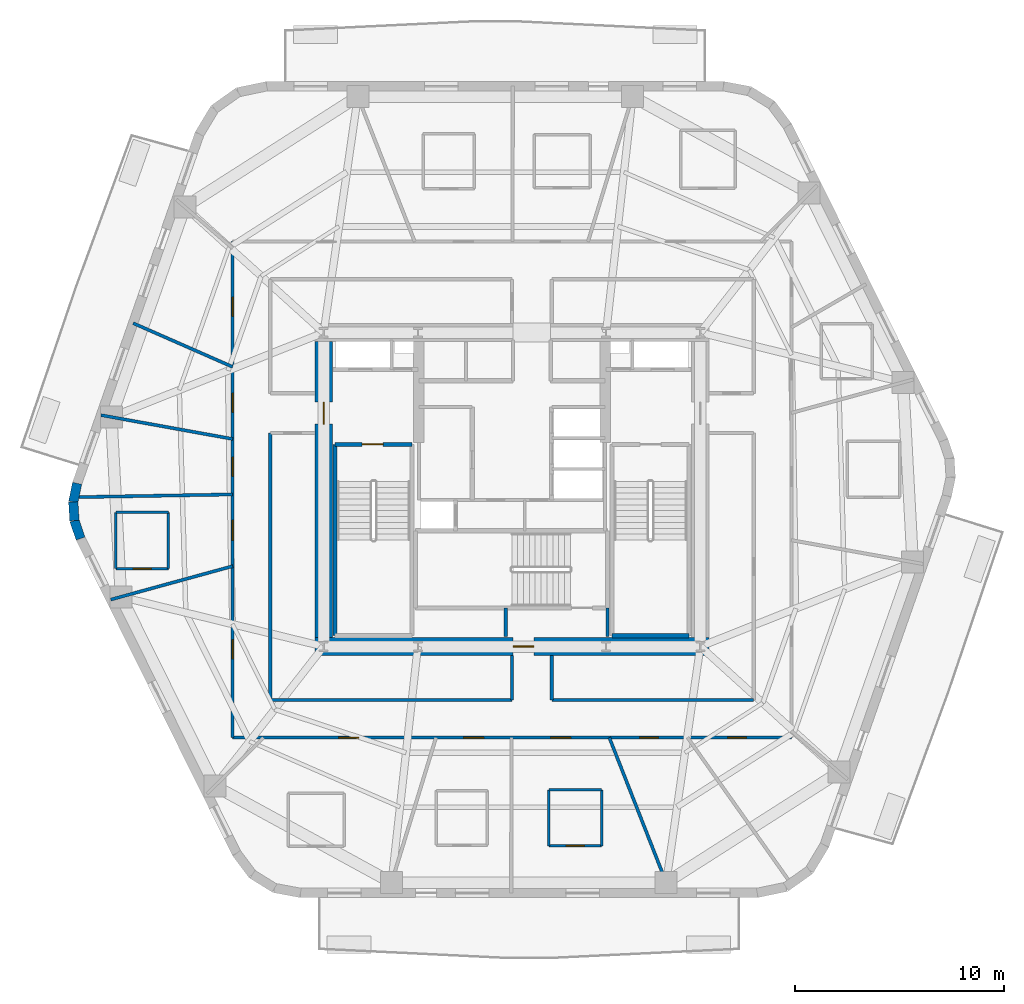
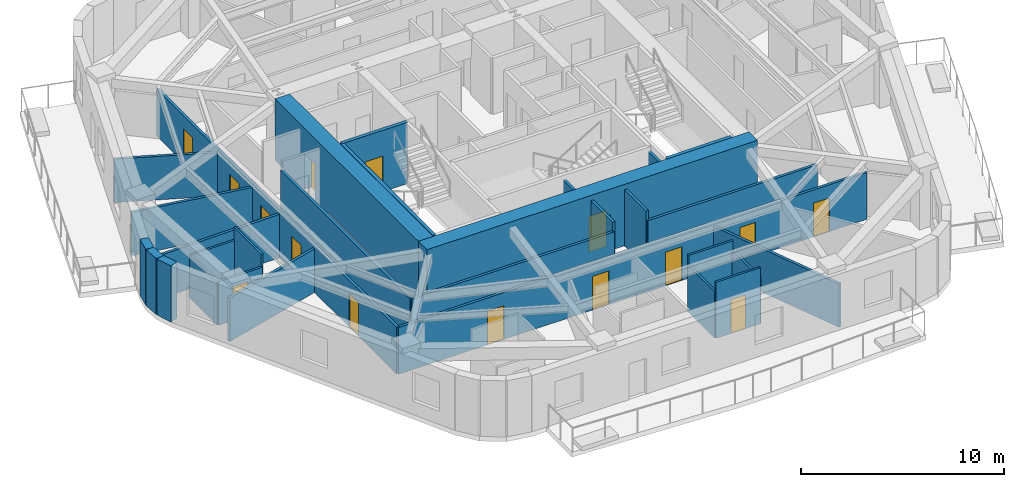
# One storey, part 3 of 11: 30 walls, 15 doors, 15 openings.
"""IFC4 building model written with IfcOpenShell, lengths in metres."""

from ifc_helpers import new_model, si_unit, direction, frame, frame_2d, origin, place, context, subcontext, project, spatial, rectangle, extrude, material, layer, layer_set, type_object, element, fill, save


model = new_model("IFC4")

# Units and contexts
model_context = context("Model", 3, precision=1e-05, world=origin(), true_north=direction((0.0, 1.0)))
body_context = subcontext(model_context, "Body", "Model", "MODEL_VIEW")
ifc_project = project(units=[si_unit("LENGTHUNIT", "METRE"), si_unit("AREAUNIT", "SQUARE_METRE"), si_unit("VOLUMEUNIT", "CUBIC_METRE"), si_unit("PLANEANGLEUNIT", "RADIAN"), si_unit("MASSUNIT", "GRAM", prefix="KILO")], contexts=[model_context])

# Site, building, storey
site_placement = place(None, origin())
site = spatial("IfcSite", under=ifc_project, at=site_placement, CompositionType="ELEMENT")
building_placement = place(site_placement, origin())
building = spatial("IfcBuilding", under=site, at=building_placement, Name="Kilnhurst Terrace Hotel", CompositionType="ELEMENT")
storey_placement = place(building_placement, frame((0.0, 0.0, 166.5)))
storey = spatial("IfcBuildingStorey", under=building, at=storey_placement, Name="L41", CompositionType="ELEMENT", Elevation=166.5)

# Walls
ifc_material_1 = material(Name="Precast concrete C40/50", Category="concrete")
ifc_layer_1 = layer(ifc_material_1, 0.449951171875, Name="Precast concrete C40/50")
ifc_layer_set_1 = layer_set([ifc_layer_1], Name="Precast concrete C40/50")
wall_type_1 = type_object("IfcWallType", Name="WL-BRK-450", PredefinedType="SOLIDWALL", material=ifc_layer_set_1)
wall_1_placement = place(storey_placement, frame((-20.78173828125, 0.298095703125, 0.0), z_axis=(0.0, 0.0, 1.0), x_axis=(-0.202570068411, -0.979267771033, 0.0)))
element("IfcWall", 1, at=wall_1_placement, inside=storey, type_object=wall_type_1, Name="L41 Rounded Corner Brick Wall C6.1", PredefinedType="SOLIDWALL", context=body_context, shape_type="SweptSolid", body=[
    extrude(rectangle(XDim=0.90869140625, YDim=0.449951171875, at=frame_2d((0.454345703125, 0.0))), origin(), (0.0, 0.0, 1.0), 3.3798828125),
])
wall_2_placement = place(storey_placement, frame((-20.9658203125, -0.591796875, 0.0), z_axis=(0.0, 0.0, 1.0), x_axis=(0.061748898935, -0.998091715966, 0.0)))
element("IfcWall", 2, at=wall_2_placement, inside=storey, type_object=wall_type_1, Name="L41 Rounded Corner Brick Wall C6.2", PredefinedType="SOLIDWALL", context=body_context, shape_type="SweptSolid", body=[
    extrude(rectangle(XDim=0.8935546875, YDim=0.449951171875, at=frame_2d((0.44677734375, 0.0))), origin(), (0.0, 0.0, 1.0), 3.3798828125),
])
wall_3_placement = place(storey_placement, frame((-20.91064453125, -1.483642578125, 0.0), z_axis=(0.0, 0.0, 1.0), x_axis=(0.321623334353, -0.946867694453, 0.0)))
element("IfcWall", 3, at=wall_3_placement, inside=storey, type_object=wall_type_1, Name="L41 Rounded Corner Brick Wall C6.3", PredefinedType="SOLIDWALL", context=body_context, shape_type="SweptSolid", body=[
    extrude(rectangle(XDim=0.90869140625, YDim=0.449951171875, at=frame_2d((0.454345703125, 0.0))), origin(), (0.0, 0.0, 1.0), 3.3798828125),
])

# Wall, openings, doors
ifc_material_2 = material(Name="Acoustic Double-Gypsum Corridor Partition Assembly")
ifc_layer_2 = layer(ifc_material_2, 0.14990234375, Name="Acoustic Double-Gypsum Corridor Partition Assembly")
ifc_layer_set_2 = layer_set([ifc_layer_2], Name="Acoustic Double-Gypsum Corridor Partition Assembly")
wall_type_2 = type_object("IfcWallType", Name="WL-COR-150", PredefinedType="PARTITIONING", material=ifc_layer_set_2)
wall_4_placement = place(storey_placement, frame((13.35009765625, -11.85009765625, 0.0), z_axis=(0.0, 0.0, 1.0), x_axis=(-1.0, 0.0, 0.0)))
wall_4 = element("IfcWall", 4, at=wall_4_placement, inside=storey, type_object=wall_type_2, Name="L41 Interior Wall WL-L41-COR-01", PredefinedType="PARTITIONING", context=body_context, shape_type="SweptSolid", body=[
    extrude(rectangle(XDim=26.7001953125, YDim=0.14990234375, at=frame_2d((13.35009765625, 0.0))), origin(), (0.0, 0.0, 1.0), 2.820068359375),
])
opening_1_placement = place(wall_4_placement, frame((20.681884765625, 0.0, 0.0)))
opening_1 = element("IfcOpeningElement", 5, at=opening_1_placement, cuts=wall_4, Name="Opening D-60B", PredefinedType="OPENING", context=body_context, shape_type="SweptSolid", body=[
    extrude(rectangle(XDim=0.949951171875, YDim=2.030029296875, at=frame_2d((0.47509765625, 1.01513671875))), frame((0.0, 0.0849609375, 0.0), z_axis=(0.0, -1.0, 0.0), x_axis=(1.0, 0.0, 0.0)), (0.0, 0.0, 1.0), 0.169921875),
])
opening_2_placement = place(wall_4_placement, frame((14.7080078125, 0.0, 0.0)))
opening_2 = element("IfcOpeningElement", 6, at=opening_2_placement, cuts=wall_4, Name="Opening D-60B", PredefinedType="OPENING", context=body_context, shape_type="SweptSolid", body=[
    extrude(rectangle(XDim=0.949951171875, YDim=2.030029296875, at=frame_2d((0.47509765625, 1.01513671875))), frame((0.0, 0.0849609375, 0.0), z_axis=(0.0, -1.0, 0.0), x_axis=(1.0, 0.0, 0.0)), (0.0, 0.0, 1.0), 0.169921875),
])
opening_3_placement = place(wall_4_placement, frame((10.552978515625, 0.0, 0.0)))
opening_3 = element("IfcOpeningElement", 7, at=opening_3_placement, cuts=wall_4, Name="Opening D-60B", PredefinedType="OPENING", context=body_context, shape_type="SweptSolid", body=[
    extrude(rectangle(XDim=0.949951171875, YDim=2.030029296875, at=frame_2d((0.47509765625, 1.01513671875))), frame((0.0, 0.0849609375, 0.0), z_axis=(0.0, -1.0, 0.0), x_axis=(1.0, 0.0, 0.0)), (0.0, 0.0, 1.0), 0.169921875),
])
opening_4_placement = place(wall_4_placement, frame((6.35302734375, 0.0, 0.0)))
opening_4 = element("IfcOpeningElement", 8, at=opening_4_placement, cuts=wall_4, Name="Opening D-60C", PredefinedType="OPENING", context=body_context, shape_type="SweptSolid", body=[
    extrude(rectangle(XDim=0.89990234375, YDim=2.030029296875, at=frame_2d((0.449951171875, 1.01513671875))), frame((0.0, 0.0849609375, 0.0), z_axis=(0.0, -1.0, 0.0), x_axis=(1.0, 0.0, 0.0)), (0.0, 0.0, 1.0), 0.169921875),
])
opening_5_placement = place(wall_4_placement, frame((2.14990234375, 0.0, 0.0)))
opening_5 = element("IfcOpeningElement", 9, at=opening_5_placement, cuts=wall_4, Name="Opening D-60C", PredefinedType="OPENING", context=body_context, shape_type="SweptSolid", body=[
    extrude(rectangle(XDim=0.89990234375, YDim=2.030029296875, at=frame_2d((0.449951171875, 1.01513671875))), frame((0.0, 0.0849609375, 0.0), z_axis=(0.0, -1.0, 0.0), x_axis=(1.0, 0.0, 0.0)), (0.0, 0.0, 1.0), 0.169921875),
])
ifc_material_3 = material(Name="Painted Solid-Core Service Fire Door")
door_type_1 = type_object("IfcDoorType", Name="DR-FD60-900", OperationType="NOTDEFINED", PredefinedType="DOOR", material=ifc_material_3)
door_1_placement = place(opening_4_placement, origin())
door_1 = element("IfcDoor", 10, at=door_1_placement, inside=storey, type_object=door_type_1, Name="L41 Private Tasting Dining Room Door 15", OperationType="SINGLE_SWING_LEFT", OverallHeight=2.030029296875, OverallWidth=0.89990234375, PredefinedType="DOOR", context=body_context, shape_type="SweptSolid", body=[
    extrude(rectangle(XDim=0.89990234375, YDim=2.030029296875, at=frame_2d((0.449951171875, 1.01513671875))), frame((0.0, 0.02490234375, 0.0), z_axis=(0.0, -1.0, 0.0), x_axis=(1.0, 0.0, 0.0)), (0.0, 0.0, 1.0), 0.050048828125),
])
fill(opening_4, door_1)
door_2_placement = place(opening_5_placement, origin())
door_2 = element("IfcDoor", 11, at=door_2_placement, inside=storey, type_object=door_type_1, Name="L41 Private Study Salon Door 16", OperationType="SINGLE_SWING_RIGHT", OverallHeight=2.030029296875, OverallWidth=0.89990234375, PredefinedType="DOOR", context=body_context, shape_type="SweptSolid", body=[
    extrude(rectangle(XDim=0.89990234375, YDim=2.030029296875, at=frame_2d((0.449951171875, 1.01513671875))), frame((0.0, 0.02490234375, 0.0), z_axis=(0.0, -1.0, 0.0), x_axis=(1.0, 0.0, 0.0)), (0.0, 0.0, 1.0), 0.050048828125),
])
fill(opening_5, door_2)
ifc_material_4 = material(Name="Acoustic Walnut Veneer Solid-Core Fire Door")
door_type_2 = type_object("IfcDoorType", Name="DR-FD60-950", OperationType="NOTDEFINED", PredefinedType="DOOR", material=ifc_material_4)
door_3_placement = place(opening_1_placement, origin())
door_3 = element("IfcDoor", 12, at=door_3_placement, inside=storey, type_object=door_type_2, Name="L41 Guest Room Entry Door 12", OperationType="SINGLE_SWING_RIGHT", OverallHeight=2.030029296875, OverallWidth=0.949951171875, PredefinedType="DOOR", context=body_context, shape_type="SweptSolid", body=[
    extrude(rectangle(XDim=0.949951171875, YDim=2.030029296875, at=frame_2d((0.47509765625, 1.01513671875))), frame((0.0, 0.02490234375, 0.0), z_axis=(0.0, -1.0, 0.0), x_axis=(1.0, 0.0, 0.0)), (0.0, 0.0, 1.0), 0.050048828125),
])
fill(opening_1, door_3)
door_4_placement = place(opening_2_placement, origin())
door_4 = element("IfcDoor", 13, at=door_4_placement, inside=storey, type_object=door_type_2, Name="L41 Guest Room Entry Door 13", OperationType="SINGLE_SWING_LEFT", OverallHeight=2.030029296875, OverallWidth=0.949951171875, PredefinedType="DOOR", context=body_context, shape_type="SweptSolid", body=[
    extrude(rectangle(XDim=0.949951171875, YDim=2.030029296875, at=frame_2d((0.47509765625, 1.01513671875))), frame((0.0, 0.02490234375, 0.0), z_axis=(0.0, -1.0, 0.0), x_axis=(1.0, 0.0, 0.0)), (0.0, 0.0, 1.0), 0.050048828125),
])
fill(opening_2, door_4)
door_5_placement = place(opening_3_placement, origin())
door_5 = element("IfcDoor", 14, at=door_5_placement, inside=storey, type_object=door_type_2, Name="L41 Guest Room Entry Door 14", OperationType="SINGLE_SWING_RIGHT", OverallHeight=2.030029296875, OverallWidth=0.949951171875, PredefinedType="DOOR", context=body_context, shape_type="SweptSolid", body=[
    extrude(rectangle(XDim=0.949951171875, YDim=2.030029296875, at=frame_2d((0.47509765625, 1.01513671875))), frame((0.0, 0.02490234375, 0.0), z_axis=(0.0, -1.0, 0.0), x_axis=(1.0, 0.0, 0.0)), (0.0, 0.0, 1.0), 0.050048828125),
])
fill(opening_3, door_5)

wall_5_placement = place(storey_placement, frame((-13.35009765625, -11.85009765625, 0.0), z_axis=(0.0, 0.0, 1.0), x_axis=(0.0, 1.0, 0.0)))
wall_5 = element("IfcWall", 15, at=wall_5_placement, inside=storey, type_object=wall_type_2, Name="L41 Interior Wall WL-L41-COR-02", PredefinedType="PARTITIONING", context=body_context, shape_type="SweptSolid", body=[
    extrude(rectangle(XDim=23.7001953125, YDim=0.14990234375, at=frame_2d((11.85009765625, 0.0))), origin(), (0.0, 0.0, 1.0), 2.820068359375),
])
opening_6_placement = place(wall_5_placement, frame((20.135986328125, 0.0, 0.0)))
opening_6 = element("IfcOpeningElement", 16, at=opening_6_placement, cuts=wall_5, Name="Opening D-60C", PredefinedType="OPENING", context=body_context, shape_type="SweptSolid", body=[
    extrude(rectangle(XDim=0.89990234375, YDim=2.030029296875, at=frame_2d((0.449951171875, 1.01513671875))), frame((0.0, 0.0849609375, 0.0), z_axis=(0.0, -1.0, 0.0), x_axis=(1.0, 0.0, 0.0)), (0.0, 0.0, 1.0), 0.169921875),
])
opening_7_placement = place(wall_5_placement, frame((15.551025390625, 0.0, 0.0)))
opening_7 = element("IfcOpeningElement", 17, at=opening_7_placement, cuts=wall_5, Name="Opening D-60C", PredefinedType="OPENING", context=body_context, shape_type="SweptSolid", body=[
    extrude(rectangle(XDim=0.89990234375, YDim=2.030029296875, at=frame_2d((0.449951171875, 1.01513671875))), frame((0.0, 0.0849609375, 0.0), z_axis=(0.0, -1.0, 0.0), x_axis=(1.0, 0.0, 0.0)), (0.0, 0.0, 1.0), 0.169921875),
])
opening_8_placement = place(wall_5_placement, frame((12.493896484375, 0.0, 0.0)))
opening_8 = element("IfcOpeningElement", 18, at=opening_8_placement, cuts=wall_5, Name="Opening D-60C", PredefinedType="OPENING", context=body_context, shape_type="SweptSolid", body=[
    extrude(rectangle(XDim=0.89990234375, YDim=2.030029296875, at=frame_2d((0.449951171875, 1.01513671875))), frame((0.0, 0.0849609375, 0.0), z_axis=(0.0, -1.0, 0.0), x_axis=(1.0, 0.0, 0.0)), (0.0, 0.0, 1.0), 0.169921875),
])
opening_9_placement = place(wall_5_placement, frame((9.424072265625, 0.0, 0.0)))
opening_9 = element("IfcOpeningElement", 19, at=opening_9_placement, cuts=wall_5, Name="Opening D-60B", PredefinedType="OPENING", context=body_context, shape_type="SweptSolid", body=[
    extrude(rectangle(XDim=0.949951171875, YDim=2.030029296875, at=frame_2d((0.47509765625, 1.01513671875))), frame((0.0, 0.0849609375, 0.0), z_axis=(0.0, -1.0, 0.0), x_axis=(1.0, 0.0, 0.0)), (0.0, 0.0, 1.0), 0.169921875),
])
opening_10_placement = place(wall_5_placement, frame((3.764892578125, 0.0, 0.0)))
opening_10 = element("IfcOpeningElement", 20, at=opening_10_placement, cuts=wall_5, Name="Opening D-60C", PredefinedType="OPENING", context=body_context, shape_type="SweptSolid", body=[
    extrude(rectangle(XDim=0.89990234375, YDim=2.030029296875, at=frame_2d((0.449951171875, 1.01513671875))), frame((0.0, 0.0849609375, 0.0), z_axis=(0.0, -1.0, 0.0), x_axis=(1.0, 0.0, 0.0)), (0.0, 0.0, 1.0), 0.169921875),
])
door_6_placement = place(opening_6_placement, origin())
door_6 = element("IfcDoor", 21, at=door_6_placement, inside=storey, type_object=door_type_1, Name="L41 Executive Work Office Door 7", OperationType="SINGLE_SWING_LEFT", OverallHeight=2.030029296875, OverallWidth=0.89990234375, PredefinedType="DOOR", context=body_context, shape_type="SweptSolid", body=[
    extrude(rectangle(XDim=0.89990234375, YDim=2.030029296875, at=frame_2d((0.449951171875, 1.01513671875))), frame((0.0, 0.02490234375, 0.0), z_axis=(0.0, -1.0, 0.0), x_axis=(1.0, 0.0, 0.0)), (0.0, 0.0, 1.0), 0.050048828125),
])
fill(opening_6, door_6)
door_7_placement = place(opening_7_placement, origin())
door_7 = element("IfcDoor", 22, at=door_7_placement, inside=storey, type_object=door_type_1, Name="L41 Botanical Reading Lounge Door 8", OperationType="SINGLE_SWING_RIGHT", OverallHeight=2.030029296875, OverallWidth=0.89990234375, PredefinedType="DOOR", context=body_context, shape_type="SweptSolid", body=[
    extrude(rectangle(XDim=0.89990234375, YDim=2.030029296875, at=frame_2d((0.449951171875, 1.01513671875))), frame((0.0, 0.02490234375, 0.0), z_axis=(0.0, -1.0, 0.0), x_axis=(1.0, 0.0, 0.0)), (0.0, 0.0, 1.0), 0.050048828125),
])
fill(opening_7, door_7)
door_8_placement = place(opening_8_placement, origin())
door_8 = element("IfcDoor", 23, at=door_8_placement, inside=storey, type_object=door_type_1, Name="L41 Private Meeting Salon Door 9", OperationType="SINGLE_SWING_LEFT", OverallHeight=2.030029296875, OverallWidth=0.89990234375, PredefinedType="DOOR", context=body_context, shape_type="SweptSolid", body=[
    extrude(rectangle(XDim=0.89990234375, YDim=2.030029296875, at=frame_2d((0.449951171875, 1.01513671875))), frame((0.0, 0.02490234375, 0.0), z_axis=(0.0, -1.0, 0.0), x_axis=(1.0, 0.0, 0.0)), (0.0, 0.0, 1.0), 0.050048828125),
])
fill(opening_8, door_8)
door_9_placement = place(opening_10_placement, origin())
door_9 = element("IfcDoor", 24, at=door_9_placement, inside=storey, type_object=door_type_1, Name="L41 Wellness Consultation Room Door 11", OperationType="SINGLE_SWING_LEFT", OverallHeight=2.030029296875, OverallWidth=0.89990234375, PredefinedType="DOOR", context=body_context, shape_type="SweptSolid", body=[
    extrude(rectangle(XDim=0.89990234375, YDim=2.030029296875, at=frame_2d((0.449951171875, 1.01513671875))), frame((0.0, 0.02490234375, 0.0), z_axis=(0.0, -1.0, 0.0), x_axis=(1.0, 0.0, 0.0)), (0.0, 0.0, 1.0), 0.050048828125),
])
fill(opening_10, door_9)
door_10_placement = place(opening_9_placement, origin())
door_10 = element("IfcDoor", 25, at=door_10_placement, inside=storey, type_object=door_type_2, Name="L41 Guest Room Entry Door 10", OperationType="SINGLE_SWING_RIGHT", OverallHeight=2.030029296875, OverallWidth=0.949951171875, PredefinedType="DOOR", context=body_context, shape_type="SweptSolid", body=[
    extrude(rectangle(XDim=0.949951171875, YDim=2.030029296875, at=frame_2d((0.47509765625, 1.01513671875))), frame((0.0, 0.02490234375, 0.0), z_axis=(0.0, -1.0, 0.0), x_axis=(1.0, 0.0, 0.0)), (0.0, 0.0, 1.0), 0.050048828125),
])
fill(opening_9, door_10)

# Walls
wall_6_placement = place(storey_placement, frame((-11.550048828125, 2.699951171875, 0.0), z_axis=(0.0, 0.0, 1.0), x_axis=(0.0, -1.0, 0.0)))
element("IfcWall", 26, at=wall_6_placement, inside=storey, type_object=wall_type_2, Name="L41 Interior Wall WL-L41-COR-16", PredefinedType="PARTITIONING", context=body_context, shape_type="SweptSolid", body=[
    extrude(rectangle(XDim=12.75, YDim=0.14990234375, at=frame_2d((6.375, 0.0))), origin(), (0.0, 0.0, 1.0), 2.820068359375),
])
wall_7_placement = place(storey_placement, frame((-11.550048828125, -10.050048828125, 0.0), z_axis=(0.0, 0.0, 1.0), x_axis=(1.0, 0.0, 0.0)))
element("IfcWall", 27, at=wall_7_placement, inside=storey, type_object=wall_type_2, Name="L41 Interior Wall WL-L41-COR-17", PredefinedType="PARTITIONING", context=body_context, shape_type="SweptSolid", body=[
    extrude(rectangle(XDim=11.550048828125, YDim=0.14990234375, at=frame_2d((5.77490234375, 0.0))), origin(), (0.0, 0.0, 1.0), 2.820068359375),
])
for number, where, z_axis, x_axis, name in (
    (28, (0.0, -10.050048828125, 0.0), (0.0, 0.0, 1.0), (0.0, 1.0, 0.0), "L41 Interior Wall WL-L41-COR-18"),
    (29, (1.89990234375, -7.925048828125, 0.0), (0.0, 0.0, 1.0), (0.0, -1.0, 0.0), "L41 Interior Wall WL-L41-COR-19"),
):
    element("IfcWall", number, at=place(storey_placement, frame(where, z_axis=z_axis, x_axis=x_axis)), inside=storey, type_object=wall_type_2, Name=name, PredefinedType="PARTITIONING", context=body_context, shape_type="SweptSolid", body=[
        extrude(rectangle(XDim=2.125, YDim=0.14990234375, at=frame_2d((1.0625, 0.0))), origin(), (0.0, 0.0, 1.0), 3.3798828125),
    ])
wall_8_placement = place(storey_placement, frame((1.89990234375, -10.050048828125, 0.0), z_axis=(0.0, 0.0, 1.0), x_axis=(1.0, 0.0, 0.0)))
element("IfcWall", 30, at=wall_8_placement, inside=storey, type_object=wall_type_2, Name="L41 Interior Wall WL-L41-COR-20", PredefinedType="PARTITIONING", context=body_context, shape_type="SweptSolid", body=[
    extrude(rectangle(XDim=9.650146484375, YDim=0.14990234375, at=frame_2d((4.8251953125, 0.0))), origin(), (0.0, 0.0, 1.0), 2.820068359375),
])

# Wall, opening, door
ifc_material_5 = material(Name="Concrete C80/95", Category="concrete")
ifc_layer_3 = layer(ifc_material_5, 0.85009765625, Name="Concrete C80/95")
ifc_layer_set_3 = layer_set([ifc_layer_3], Name="Concrete C80/95")
wall_type_3 = type_object("IfcWallType", Name="WL-CORE-850", PredefinedType="SHEAR", material=ifc_layer_set_3)
wall_9_placement = place(storey_placement, frame((-9.425048828125, -7.5, 0.0), z_axis=(0.0, 0.0, 1.0), x_axis=(1.0, 0.0, 0.0)))
wall_9 = element("IfcWall", 31, at=wall_9_placement, inside=storey, type_object=wall_type_3, Name="L41 Core South Shear Wall", PredefinedType="SHEAR", context=body_context, shape_type="SweptSolid", body=[
    extrude(rectangle(XDim=18.85009765625, YDim=0.85009765625, at=frame_2d((9.425048828125, 0.0))), origin(), (0.0, 0.0, 1.0), 3.699951171875),
])
opening_11_placement = place(wall_9_placement, frame((9.47509765625, 0.0, 0.0)))
opening_11 = element("IfcOpeningElement", 32, at=opening_11_placement, cuts=wall_9, Name="Opening D-90B", PredefinedType="OPENING", context=body_context, shape_type="SweptSolid", body=[
    extrude(rectangle(XDim=1.0, YDim=2.14990234375, at=frame_2d((0.5, 1.074951171875))), frame((0.0, 0.43505859375, 0.0), z_axis=(0.0, -1.0, 0.0), x_axis=(1.0, 0.0, 0.0)), (0.0, 0.0, 1.0), 0.8701171875),
])
ifc_material_6 = material(Name="Painted Hollow Metal Steel ASTM A36 Fire Door", Category="steel")
door_type_3 = type_object("IfcDoorType", Name="DR-FD90-1000", OperationType="NOTDEFINED", PredefinedType="DOOR", material=ifc_material_6)
door_11_placement = place(opening_11_placement, origin())
door_11 = element("IfcDoor", 33, at=door_11_placement, inside=storey, type_object=door_type_3, Name="L41 Stair ST-3 Corridor Door", OperationType="SINGLE_SWING_RIGHT", OverallHeight=2.14990234375, OverallWidth=1.0, PredefinedType="DOOR", context=body_context, shape_type="SweptSolid", body=[
    extrude(rectangle(XDim=1.0, YDim=2.14990234375, at=frame_2d((0.5, 1.074951171875))), frame((0.0, 0.02490234375, 0.0), z_axis=(0.0, -1.0, 0.0), x_axis=(1.0, 0.0, 0.0)), (0.0, 0.0, 1.0), 0.050048828125),
])
fill(opening_11, door_11)

wall_10_placement = place(storey_placement, frame((-9.0, -7.074951171875, 0.0), z_axis=(0.0, 0.0, 1.0), x_axis=(0.0, 1.0, 0.0)))
wall_10 = element("IfcWall", 34, at=wall_10_placement, inside=storey, type_object=wall_type_3, Name="L41 Core West Shear Wall", PredefinedType="SHEAR", context=body_context, shape_type="SweptSolid", body=[
    extrude(rectangle(XDim=14.14990234375, YDim=0.85009765625, at=frame_2d((7.074951171875, 0.0))), origin(), (0.0, 0.0, 1.0), 3.699951171875),
])
opening_12_placement = place(wall_10_placement, frame((10.199951171875, 0.0, 0.0)))
opening_12 = element("IfcOpeningElement", 35, at=opening_12_placement, cuts=wall_10, Name="Opening D-90A", PredefinedType="OPENING", context=body_context, shape_type="SweptSolid", body=[
    extrude(rectangle(XDim=1.050048828125, YDim=2.14990234375, at=frame_2d((0.52490234375, 1.074951171875))), frame((0.0, 0.43505859375, 0.0), z_axis=(0.0, -1.0, 0.0), x_axis=(1.0, 0.0, 0.0)), (0.0, 0.0, 1.0), 0.8701171875),
])
door_type_4 = type_object("IfcDoorType", Name="DR-FD90-1050", OperationType="NOTDEFINED", PredefinedType="DOOR", material=ifc_material_6)
door_12_placement = place(opening_12_placement, origin())
door_12 = element("IfcDoor", 36, at=door_12_placement, inside=storey, type_object=door_type_4, Name="L41 West Firefighting Lobby Door", OperationType="SINGLE_SWING_RIGHT", OverallHeight=2.14990234375, OverallWidth=1.050048828125, PredefinedType="DOOR", context=body_context, shape_type="SweptSolid", body=[
    extrude(rectangle(XDim=1.050048828125, YDim=2.14990234375, at=frame_2d((0.52490234375, 1.074951171875))), frame((0.0, 0.02490234375, 0.0), z_axis=(0.0, -1.0, 0.0), x_axis=(1.0, 0.0, 0.0)), (0.0, 0.0, 1.0), 0.050048828125),
])
fill(opening_12, door_12)

# Walls
ifc_material_7 = material(Name="STC-58 Acoustic Twin-Frame Guestroom Demising Partition")
ifc_layer_4 = layer(ifc_material_7, 0.14990234375, Name="STC-58 Acoustic Twin-Frame Guestroom Demising Partition")
ifc_layer_set_4 = layer_set([ifc_layer_4], Name="STC-58 Acoustic Twin-Frame Guestroom Demising Partition")
wall_type_4 = type_object("IfcWallType", Name="WL-DEM-150", PredefinedType="PARTITIONING", material=ifc_layer_set_4)
wall_11_placement = place(storey_placement, frame((-13.35009765625, 5.86279296875, 0.0), z_axis=(0.0, 0.0, 1.0), x_axis=(-0.9155832175, 0.402128551376, 0.0)))
element("IfcWall", 37, at=wall_11_placement, inside=storey, type_object=wall_type_4, Name="L41 Interior Wall WL-L41-DEM-MID05-08-1", PredefinedType="PARTITIONING", context=body_context, shape_type="SweptSolid", body=[
    extrude(rectangle(XDim=5.19091796875, YDim=0.14990234375, at=frame_2d((2.595458984375, 0.0))), origin(), (0.0, 0.0, 1.0), 2.6201171875),
])
wall_12_placement = place(storey_placement, frame((-13.35009765625, 2.417236328125, 0.0), z_axis=(0.0, 0.0, 1.0), x_axis=(-0.98399796473, 0.178179699761, 0.0)))
element("IfcWall", 38, at=wall_12_placement, inside=storey, type_object=wall_type_4, Name="L41 Interior Wall WL-L41-DEM-COL06-09-1", PredefinedType="PARTITIONING", context=body_context, shape_type="SweptSolid", body=[
    extrude(rectangle(XDim=6.393310546875, YDim=0.14990234375, at=frame_2d((3.19677734375, 0.0))), origin(), (0.0, 0.0, 1.0), 2.6201171875),
])
wall_13_placement = place(storey_placement, frame((-13.35009765625, -0.23291015625, 0.0), z_axis=(0.0, 0.0, 1.0), x_axis=(-0.999847932133, -0.017438824797, 0.0)))
element("IfcWall", 39, at=wall_13_placement, inside=storey, type_object=wall_type_4, Name="L41 Interior Wall WL-L41-DEM-MID06-10-1", PredefinedType="PARTITIONING", context=body_context, shape_type="SweptSolid", body=[
    extrude(rectangle(XDim=7.406005859375, YDim=0.14990234375, at=frame_2d((3.703125, 0.0))), origin(), (0.0, 0.0, 1.0), 2.6201171875),
])
wall_14_placement = place(storey_placement, frame((-13.35009765625, -3.66064453125, 0.0), z_axis=(0.0, 0.0, 1.0), x_axis=(-0.964397145454, -0.264458211898, 0.0)))
element("IfcWall", 40, at=wall_14_placement, inside=storey, type_object=wall_type_4, Name="L41 Interior Wall WL-L41-DEM-COL07-11-1", PredefinedType="PARTITIONING", context=body_context, shape_type="SweptSolid", body=[
    extrude(rectangle(XDim=6.03857421875, YDim=0.14990234375, at=frame_2d((3.019287109375, 0.0))), origin(), (0.0, 0.0, 1.0), 2.6201171875),
])
wall_15_placement = place(storey_placement, frame((4.64990234375, -11.85009765625, 0.0), z_axis=(0.0, 0.0, 1.0), x_axis=(0.365265947993, -0.930903210456, 0.0)))
element("IfcWall", 41, at=wall_15_placement, inside=storey, type_object=wall_type_4, Name="L41 Interior Wall WL-L41-DEM-COL10-15-1", PredefinedType="PARTITIONING", context=body_context, shape_type="SweptSolid", body=[
    extrude(rectangle(XDim=7.975830078125, YDim=0.14990234375, at=frame_2d((3.98779296875, 0.0))), origin(), (0.0, 0.0, 1.0), 2.6201171875),
])

# Wall, opening, door
ifc_material_8 = material(Name="120 mm Moisture-Resistant Tile-Backed Bathroom Partition")
ifc_layer_5 = layer(ifc_material_8, 0.1201171875, Name="120 mm Moisture-Resistant Tile-Backed Bathroom Partition")
ifc_layer_set_5 = layer_set([ifc_layer_5], Name="120 mm Moisture-Resistant Tile-Backed Bathroom Partition")
wall_type_5 = type_object("IfcWallType", Name="WL-PART-120", PredefinedType="PARTITIONING", material=ifc_layer_set_5)
wall_16_placement = place(storey_placement, frame((-18.93603515625, -3.77392578125, 0.0), z_axis=(0.0, 0.0, 1.0), x_axis=(1.0, 0.0, 0.0)))
wall_16 = element("IfcWall", 42, at=wall_16_placement, inside=storey, type_object=wall_type_5, Name="L41 Interior Wall WL-L41-BTH-10-1", PredefinedType="PARTITIONING", context=body_context, shape_type="SweptSolid", body=[
    extrude(rectangle(XDim=2.52001953125, YDim=0.1201171875, at=frame_2d((1.260009765625, 0.0))), origin(), (0.0, 0.0, 1.0), 2.6201171875),
])
opening_13_placement = place(wall_16_placement, frame((0.8349609375, 0.0, 0.0)))
opening_13 = element("IfcOpeningElement", 43, at=opening_13_placement, cuts=wall_16, Name="Opening D-08A", PredefinedType="OPENING", context=body_context, shape_type="SweptSolid", body=[
    extrude(rectangle(XDim=0.85009765625, YDim=2.030029296875, at=frame_2d((0.425048828125, 1.01513671875))), frame((0.0, 0.070068359375, 0.0), z_axis=(0.0, -1.0, 0.0), x_axis=(1.0, 0.0, 0.0)), (0.0, 0.0, 1.0), 0.14013671875),
])
ifc_material_9 = material(Name="Moisture-Resistant Lacquered En-suite Bathroom Door")
door_type_5 = type_object("IfcDoorType", Name="DR-INT-850", OperationType="NOTDEFINED", PredefinedType="DOOR", material=ifc_material_9)
door_13_placement = place(opening_13_placement, origin())
door_13 = element("IfcDoor", 44, at=door_13_placement, inside=storey, type_object=door_type_5, Name="L41 En-suite Bathroom Door 10", OperationType="SINGLE_SWING_RIGHT", OverallHeight=2.030029296875, OverallWidth=0.85009765625, PredefinedType="DOOR", context=body_context, shape_type="SweptSolid", body=[
    extrude(rectangle(XDim=0.85009765625, YDim=2.030029296875, at=frame_2d((0.425048828125, 1.01513671875))), frame((0.0, 0.02490234375, 0.0), z_axis=(0.0, -1.0, 0.0), x_axis=(1.0, 0.0, 0.0)), (0.0, 0.0, 1.0), 0.050048828125),
])
fill(opening_13, door_13)

# Walls
wall_17_placement = place(storey_placement, frame((-16.416015625, -3.77392578125, 0.0), z_axis=(0.0, 0.0, 1.0), x_axis=(0.0, 1.0, 0.0)))
element("IfcWall", 45, at=wall_17_placement, inside=storey, type_object=wall_type_5, Name="L41 Interior Wall WL-L41-BTH-10-2", PredefinedType="PARTITIONING", context=body_context, shape_type="SweptSolid", body=[
    extrude(rectangle(XDim=2.679931640625, YDim=0.1201171875, at=frame_2d((1.33984375, 0.0))), origin(), (0.0, 0.0, 1.0), 3.3798828125),
])
wall_18_placement = place(storey_placement, frame((-16.416015625, -1.093994140625, 0.0), z_axis=(0.0, 0.0, 1.0), x_axis=(-1.0, 0.0, 0.0)))
element("IfcWall", 46, at=wall_18_placement, inside=storey, type_object=wall_type_5, Name="L41 Interior Wall WL-L41-BTH-10-3", PredefinedType="PARTITIONING", context=body_context, shape_type="SweptSolid", body=[
    extrude(rectangle(XDim=2.52001953125, YDim=0.1201171875, at=frame_2d((1.260009765625, 0.0))), origin(), (0.0, 0.0, 1.0), 2.6201171875),
])
wall_19_placement = place(storey_placement, frame((-18.93603515625, -1.093994140625, 0.0), z_axis=(0.0, 0.0, 1.0), x_axis=(0.0, -1.0, 0.0)))
element("IfcWall", 47, at=wall_19_placement, inside=storey, type_object=wall_type_5, Name="L41 Interior Wall WL-L41-BTH-10-4", PredefinedType="PARTITIONING", context=body_context, shape_type="SweptSolid", body=[
    extrude(rectangle(XDim=2.679931640625, YDim=0.1201171875, at=frame_2d((1.33984375, 0.0))), origin(), (0.0, 0.0, 1.0), 2.6201171875),
])

# Wall, opening, door
wall_20_placement = place(storey_placement, frame((1.762939453125, -17.028076171875, 0.0), z_axis=(0.0, 0.0, 1.0), x_axis=(1.0, 0.0, 0.0)))
wall_20 = element("IfcWall", 48, at=wall_20_placement, inside=storey, type_object=wall_type_5, Name="L41 Interior Wall WL-L41-BTH-14-1", PredefinedType="PARTITIONING", context=body_context, shape_type="SweptSolid", body=[
    extrude(rectangle(XDim=2.52001953125, YDim=0.1201171875, at=frame_2d((1.260009765625, 0.0))), origin(), (0.0, 0.0, 1.0), 3.3798828125),
])
opening_14_placement = place(wall_20_placement, frame((0.8349609375, 0.0, 0.0)))
opening_14 = element("IfcOpeningElement", 49, at=opening_14_placement, cuts=wall_20, Name="Opening D-08A", PredefinedType="OPENING", context=body_context, shape_type="SweptSolid", body=[
    extrude(rectangle(XDim=0.85009765625, YDim=2.030029296875, at=frame_2d((0.425048828125, 1.01513671875))), frame((0.0, 0.070068359375, 0.0), z_axis=(0.0, -1.0, 0.0), x_axis=(1.0, 0.0, 0.0)), (0.0, 0.0, 1.0), 0.14013671875),
])
door_14_placement = place(opening_14_placement, origin())
door_14 = element("IfcDoor", 50, at=door_14_placement, inside=storey, type_object=door_type_5, Name="L41 En-suite Bathroom Door 14", OperationType="SINGLE_SWING_LEFT", OverallHeight=2.030029296875, OverallWidth=0.85009765625, PredefinedType="DOOR", context=body_context, shape_type="SweptSolid", body=[
    extrude(rectangle(XDim=0.85009765625, YDim=2.030029296875, at=frame_2d((0.425048828125, 1.01513671875))), frame((0.0, 0.02490234375, 0.0), z_axis=(0.0, -1.0, 0.0), x_axis=(1.0, 0.0, 0.0)), (0.0, 0.0, 1.0), 0.050048828125),
])
fill(opening_14, door_14)

# Walls
wall_21_placement = place(storey_placement, frame((4.282958984375, -17.028076171875, 0.0), z_axis=(0.0, 0.0, 1.0), x_axis=(0.0, 1.0, 0.0)))
element("IfcWall", 51, at=wall_21_placement, inside=storey, type_object=wall_type_5, Name="L41 Interior Wall WL-L41-BTH-14-2", PredefinedType="PARTITIONING", context=body_context, shape_type="SweptSolid", body=[
    extrude(rectangle(XDim=2.68017578125, YDim=0.1201171875, at=frame_2d((1.340087890625, 0.0))), origin(), (0.0, 0.0, 1.0), 2.8203125),
])
wall_22_placement = place(storey_placement, frame((4.282958984375, -14.347900390625, 0.0), z_axis=(0.0, 0.0, 1.0), x_axis=(-1.0, 0.0, 0.0)))
element("IfcWall", 52, at=wall_22_placement, inside=storey, type_object=wall_type_5, Name="L41 Interior Wall WL-L41-BTH-14-3", PredefinedType="PARTITIONING", context=body_context, shape_type="SweptSolid", body=[
    extrude(rectangle(XDim=2.52001953125, YDim=0.1201171875, at=frame_2d((1.260009765625, 0.0))), origin(), (0.0, 0.0, 1.0), 3.3798828125),
])
wall_23_placement = place(storey_placement, frame((1.762939453125, -14.347900390625, 0.0), z_axis=(0.0, 0.0, 1.0), x_axis=(0.0, -1.0, 0.0)))
element("IfcWall", 53, at=wall_23_placement, inside=storey, type_object=wall_type_5, Name="L41 Interior Wall WL-L41-BTH-14-4", PredefinedType="PARTITIONING", context=body_context, shape_type="SweptSolid", body=[
    extrude(rectangle(XDim=2.68017578125, YDim=0.1201171875, at=frame_2d((1.340087890625, 0.0))), origin(), (0.0, 0.0, 1.0), 2.8203125),
])
ifc_material_10 = material(Name="Fire-Rated Gypsum Shaftliner Assembly")
ifc_layer_6 = layer(ifc_material_10, 0.14990234375, Name="Fire-Rated Gypsum Shaftliner Assembly")
ifc_layer_set_6 = layer_set([ifc_layer_6], Name="Fire-Rated Gypsum Shaftliner Assembly")
wall_type_6 = type_object("IfcWallType", Name="WL-SHAFT-150", PredefinedType="PARTITIONING", material=ifc_layer_set_6)
for number, where, z_axis, x_axis, name in (
    (54, (-0.300048828125, -7.02001953125, 0.0), (0.0, 0.0, 1.0), (0.0, 1.0, 0.0), "L41 Interior Wall WL-L41-ST3-PSGW"),
    (55, (4.55810546875, -7.02001953125, 0.0), (0.0, 0.0, 1.0), (0.0, 1.0, 0.0), "L41 Interior Wall WL-L41-ST3-PSGE"),
):
    element("IfcWall", number, at=place(storey_placement, frame(where, z_axis=z_axis, x_axis=x_axis)), inside=storey, type_object=wall_type_6, Name=name, PredefinedType="PARTITIONING", context=body_context, shape_type="SweptSolid", body=[
        extrude(rectangle(XDim=1.362060546875, YDim=0.14990234375, at=frame_2d((0.68115234375, 0.0))), origin(), (0.0, 0.0, 1.0), 3.3798828125),
    ])
ifc_material_11 = material(Name="Concrete C50/60", Category="concrete")
ifc_layer_7 = layer(ifc_material_11, 0.199951171875, Name="Concrete C50/60")
ifc_layer_set_7 = layer_set([ifc_layer_7], Name="Concrete C50/60")
wall_type_7 = type_object("IfcWallType", Name="WL-STAIR-RC-200", PredefinedType="SHEAR", material=ifc_layer_set_7)
wall_24_placement = place(storey_placement, frame((-8.4580078125, -6.985107421875, 0.0), z_axis=(0.0, 0.0, 1.0), x_axis=(0.0, 1.0, 0.0)))
element("IfcWall", 56, at=wall_24_placement, inside=storey, type_object=wall_type_7, Name="L41 Structural Stair Shaft Wall WL-L41-ST1-W", PredefinedType="SHEAR", context=body_context, shape_type="SweptSolid", body=[
    extrude(rectangle(XDim=9.14306640625, YDim=0.199951171875, at=frame_2d((4.571533203125, 0.0))), origin(), (0.0, 0.0, 1.0), 3.699951171875),
])

# Wall, opening, door
wall_25_placement = place(storey_placement, frame((-8.4580078125, 2.157958984375, 0.0), z_axis=(0.0, 0.0, 1.0), x_axis=(1.0, 0.0, 0.0)))
wall_25 = element("IfcWall", 57, at=wall_25_placement, inside=storey, type_object=wall_type_7, Name="L41 Structural Stair Shaft Wall WL-L41-ST1-N", PredefinedType="SHEAR", context=body_context, shape_type="SweptSolid", body=[
    extrude(rectangle(XDim=3.68603515625, YDim=0.199951171875, at=frame_2d((1.843017578125, 0.0))), origin(), (0.0, 0.0, 1.0), 3.699951171875),
])
opening_15_placement = place(wall_25_placement, frame((1.300048828125, 0.0, 0.0)))
opening_15 = element("IfcOpeningElement", 58, at=opening_15_placement, cuts=wall_25, Name="Opening D-90B", PredefinedType="OPENING", context=body_context, shape_type="SweptSolid", body=[
    extrude(rectangle(XDim=1.0, YDim=2.14990234375, at=frame_2d((0.5, 1.074951171875))), frame((0.0, 0.10986328125, 0.0), z_axis=(0.0, -1.0, 0.0), x_axis=(1.0, 0.0, 0.0)), (0.0, 0.0, 1.0), 0.219970703125),
])
door_15_placement = place(opening_15_placement, origin())
door_15 = element("IfcDoor", 59, at=door_15_placement, inside=storey, type_object=door_type_3, Name="L41 Stair ST-1 Door", OperationType="SINGLE_SWING_LEFT", OverallHeight=2.14990234375, OverallWidth=1.0, PredefinedType="DOOR", context=body_context, shape_type="SweptSolid", body=[
    extrude(rectangle(XDim=1.0, YDim=2.14990234375, at=frame_2d((0.5, 1.074951171875))), frame((0.0, 0.02490234375, 0.0), z_axis=(0.0, -1.0, 0.0), x_axis=(1.0, 0.0, 0.0)), (0.0, 0.0, 1.0), 0.050048828125),
])
fill(opening_15, door_15)

# Wall
wall_26_placement = place(storey_placement, frame((4.77197265625, -6.985107421875, 0.0), z_axis=(0.0, 0.0, 1.0), x_axis=(1.0, 0.0, 0.0)))
element("IfcWall", 60, at=wall_26_placement, inside=storey, type_object=wall_type_7, Name="L41 Structural Stair Shaft Wall WL-L41-ST2-S", PredefinedType="SHEAR", context=body_context, shape_type="SweptSolid", body=[
    extrude(rectangle(XDim=3.68603515625, YDim=0.199951171875, at=frame_2d((1.843017578125, 0.0))), origin(), (0.0, 0.0, 1.0), 3.699951171875),
])

save(model, "model.ifc")
